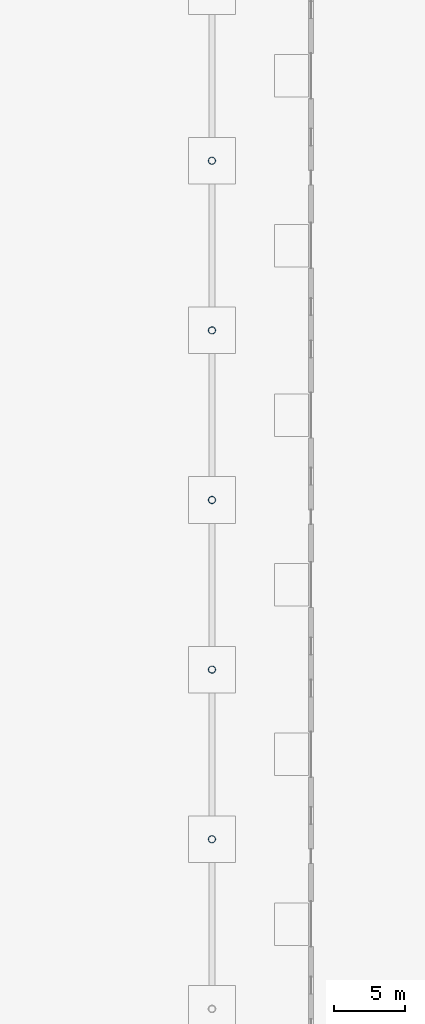
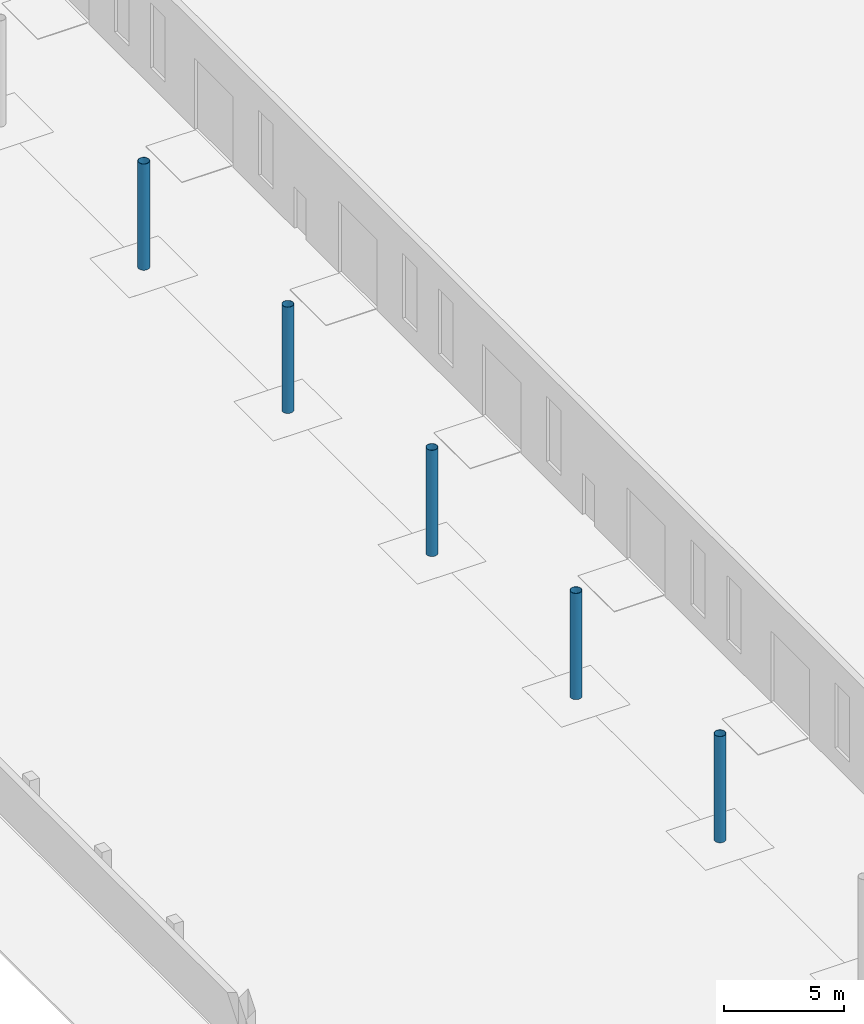
# One storey, part 11 of 132: 5 columns.
"""IFC4 building model written with IfcOpenShell, lengths in metres."""

from ifc_helpers import new_model, si_unit, direction, frame, origin, origin_2d, place, context, subcontext, project, spatial, hollow_circle, extrude, material, material_profile, profile_set, type_object, element, save


model = new_model("IFC4")

# Units and contexts
model_context = context("Model", 3, precision=1e-05, world=origin(), true_north=direction((0.0, 1.0)))
body_context = subcontext(model_context, "Body", "Model", "MODEL_VIEW")
ifc_project = project(units=[si_unit("LENGTHUNIT", "METRE"), si_unit("AREAUNIT", "SQUARE_METRE"), si_unit("VOLUMEUNIT", "CUBIC_METRE"), si_unit("PLANEANGLEUNIT", "RADIAN"), si_unit("MASSUNIT", "GRAM", prefix="KILO")], contexts=[model_context])

# Site, building, storey
site_placement = place(None, origin())
site = spatial("IfcSite", under=ifc_project, at=site_placement, CompositionType="ELEMENT")
building_placement = place(site_placement, origin())
building = spatial("IfcBuilding", under=site, at=building_placement, Name="Ravi Spectrum Wholesale Market", CompositionType="ELEMENT")
storey_placement = place(building_placement, origin())
storey = spatial("IfcBuildingStorey", under=building, at=storey_placement, Name="L00", CompositionType="ELEMENT", Elevation=0.0)

# Columns
ifc_material = material(Name="Steel S355", Category="steel")
ifc_material_profile = material_profile(ifc_material, hollow_circle(Radius=0.25390625, WallThickness=0.01611328125, at=origin_2d()))
ifc_profile_set = profile_set([ifc_material_profile], Name="Steel S355")
column_type = type_object("IfcColumnType", Name="CHS 508x16 column", PredefinedType="COLUMN", material=ifc_profile_set)
for number, where, z_axis, x_axis, name in (
    (1, (30.0, 78.0, 0.0), (0.0, 0.0, 1.0), (1.0, 0.0, 0.0), "H1-COL-L00-005"),
    (2, (30.0, 90.0, 0.0), (0.0, 0.0, 1.0), (1.0, 0.0, 0.0), "H1-COL-L00-006"),
    (3, (30.0, 102.0, 0.0), (0.0, 0.0, 1.0), (1.0, 0.0, 0.0), "H1-COL-L00-007"),
    (4, (30.0, 114.0, 0.0), (0.0, 0.0, 1.0), (1.0, 0.0, 0.0), "H1-COL-L00-008"),
    (5, (30.0, 126.0, 0.0), (0.0, 0.0, 1.0), (1.0, 0.0, 0.0), "H1-COL-L00-009"),
):
    element("IfcColumn", number, at=place(storey_placement, frame(where, z_axis=z_axis, x_axis=x_axis)), inside=storey, type_object=column_type, Name=name, PredefinedType="COLUMN", context=body_context, shape_type="SweptSolid", body=[
        extrude(hollow_circle(Radius=0.25390625, WallThickness=0.01611328125, at=origin_2d()), origin(), (0.0, 0.0, 1.0), 5.39990234375),
    ])

save(model, "model.ifc")
